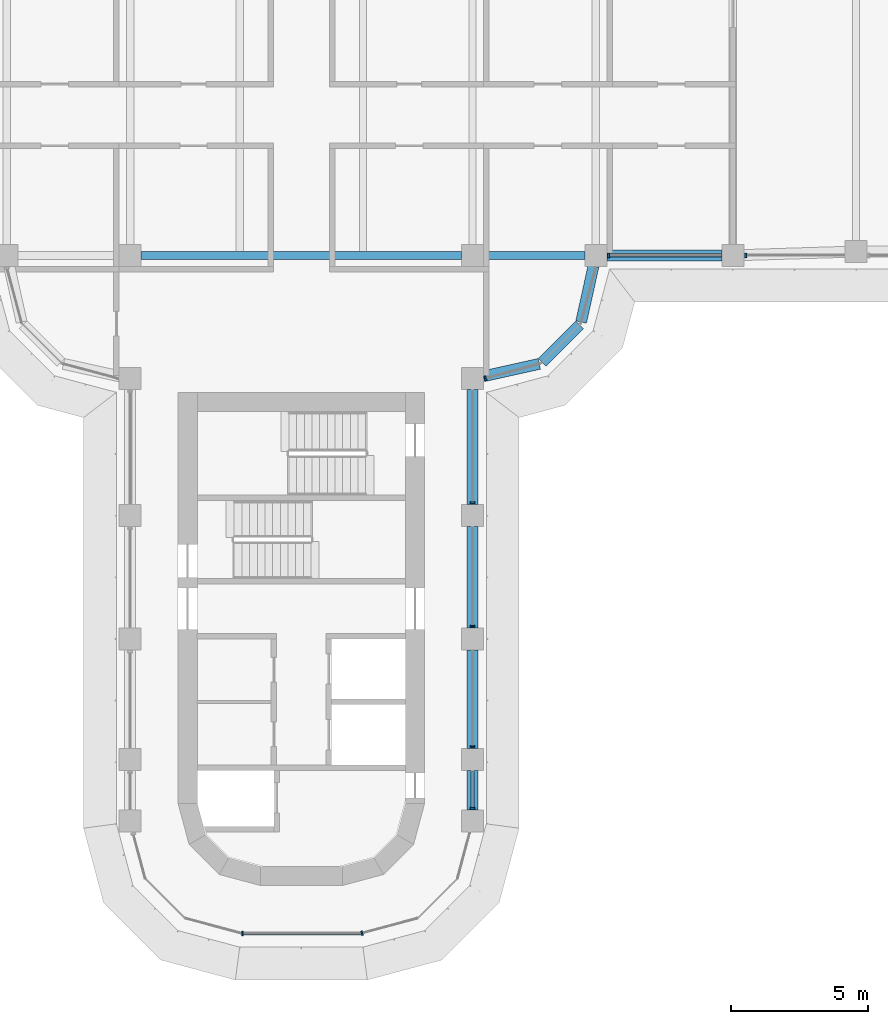
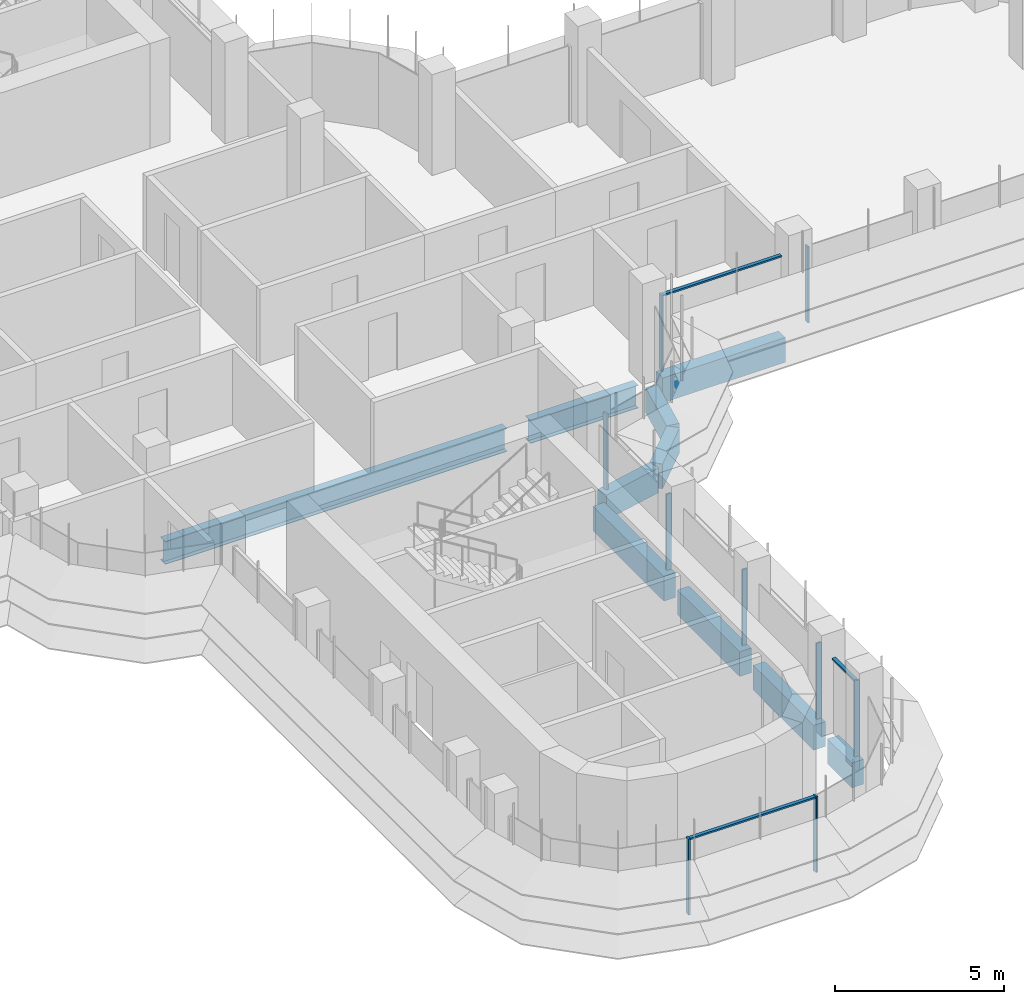
# One storey, part 4 of 19: 12 members, 10 beams, 5 elements without a shape of their own.
"""IFC4 building model written with IfcOpenShell, lengths in metres."""

from ifc_helpers import new_model, si_unit, direction, frame, origin, origin_2d, place, context, subcontext, project, spatial, polyline, rectangle, i_section, outline, extrude, source, transform, mapped, material, material_profile, profile_set, type_object, element, aggregate, save


model = new_model("IFC4")

# Units and contexts
model_context = context("Model", 3, precision=1e-05, world=origin(), true_north=direction((0.0, 1.0)))
body_context = subcontext(model_context, "Body", "Model", "MODEL_VIEW")
ifc_project = project(units=[si_unit("LENGTHUNIT", "METRE"), si_unit("AREAUNIT", "SQUARE_METRE"), si_unit("VOLUMEUNIT", "CUBIC_METRE"), si_unit("PLANEANGLEUNIT", "RADIAN"), si_unit("MASSUNIT", "GRAM", prefix="KILO")], contexts=[model_context])

# Site, building, storey
site_placement = place(None, origin())
site = spatial("IfcSite", under=ifc_project, at=site_placement, CompositionType="ELEMENT")
building_placement = place(site_placement, origin())
building = spatial("IfcBuilding", under=site, at=building_placement, Name="Zarbagh Exchange Tower", CompositionType="ELEMENT")
storey_placement = place(building_placement, frame((0.0, 0.0, 167.60009765625)))
storey = spatial("IfcBuildingStorey", under=building, at=storey_placement, Name="L40", CompositionType="ELEMENT", Elevation=167.60009765625)

# Beams
ifc_material_1 = material(Name="Steel ASTM A992 Gr 50", Category="steel")
ifc_material_profile_1 = material_profile(ifc_material_1, i_section(OverallWidth=0.2919921875, OverallDepth=0.835693359375, WebThickness=0.013916015625, FlangeThickness=0.018798828125, at=origin_2d()), Name="W33X118")
ifc_profile_set_1 = profile_set([ifc_material_profile_1], Name="Steel ASTM A992 Gr 50")
beam_type_1 = type_object("IfcBeamType", Name="Floor girder W33X118", PredefinedType="BEAM", material=ifc_profile_set_1)
beam_1_placement = place(storey_placement, frame((-5.85009765625, -6.25, -0.56787109375), z_axis=(1.0, 0.0, 0.0), x_axis=(0.0, 1.0, 0.0)))
element("IfcBeam", 1, at=beam_1_placement, inside=storey, type_object=beam_type_1, Name="Steel girder", PredefinedType="BEAM", context=body_context, shape_type="SweptSolid", body=[
    extrude(i_section(OverallWidth=0.2919921875, OverallDepth=0.835693359375, WebThickness=0.013916015625, FlangeThickness=0.018798828125, at=origin_2d()), origin(), (0.0, 0.0, 1.0), 11.7001953125),
])
beam_2_placement = place(storey_placement, frame((6.64990234375, -6.25, -0.56787109375), z_axis=(1.0, 0.0, 0.0), x_axis=(0.0, 1.0, 0.0)))
element("IfcBeam", 2, at=beam_2_placement, inside=storey, type_object=beam_type_1, Name="Steel girder", PredefinedType="BEAM", context=body_context, shape_type="SweptSolid", body=[
    extrude(i_section(OverallWidth=0.2919921875, OverallDepth=0.835693359375, WebThickness=0.013916015625, FlangeThickness=0.018798828125, at=origin_2d()), origin(), (0.0, 0.0, 1.0), 3.7001953125),
])
ifc_material_2 = material(Name="Concrete C50/60", Category="concrete")
ifc_material_profile_2 = material_profile(ifc_material_2, rectangle(XDim=0.39990234375, YDim=0.89990234375, at=origin_2d()), Name="RC spandrel beam 400 x 900 C50/60")
ifc_profile_set_2 = profile_set([ifc_material_profile_2], Name="Concrete C50/60")
beam_type_2 = type_object("IfcBeamType", Name="RC spandrel beam 400 x 900 C50/60", PredefinedType="SPANDREL", material=ifc_profile_set_2)
beam_3_placement = place(storey_placement, frame((15.35009765625, -6.25, -0.60009765625), z_axis=(-1.0, 0.0, 0.0), x_axis=(0.0, -1.0, 0.0)))
element("IfcBeam", 3, at=beam_3_placement, inside=storey, type_object=beam_type_2, Name="RC spandrel beam", PredefinedType="SPANDREL", context=body_context, shape_type="SweptSolid", body=[
    extrude(rectangle(XDim=0.39990234375, YDim=0.89990234375, at=origin_2d()), origin(), (0.0, 0.0, 1.0), 4.2001953125),
])
beam_4_placement = place(storey_placement, frame((10.66357421875, -6.640625, -0.60009765625), z_axis=(-0.216041061437, -0.976384278741, 0.0), x_axis=(0.976384278741, -0.216041061437, 0.0)))
element("IfcBeam", 4, at=beam_4_placement, inside=storey, type_object=beam_type_2, Name="RC spandrel beam", PredefinedType="SPANDREL", context=body_context, shape_type="SweptSolid", body=[
    extrude(rectangle(XDim=0.39990234375, YDim=0.89990234375, at=origin_2d()), origin(), (0.0, 0.0, 1.0), 2.0927734375),
])
beam_5_placement = place(storey_placement, frame((10.15771484375, -8.782470703125, -0.60009765625), z_axis=(-0.707106781187, -0.707106781187, 0.0), x_axis=(0.707106781187, -0.707106781187, 0.0)))
element("IfcBeam", 5, at=beam_5_placement, inside=storey, type_object=beam_type_2, Name="RC spandrel beam", PredefinedType="SPANDREL", context=body_context, shape_type="SweptSolid", body=[
    extrude(rectangle(XDim=0.39990234375, YDim=0.89990234375, at=origin_2d()), origin(), (0.0, 0.0, 1.0), 1.94482421875),
])
beam_6_placement = place(storey_placement, frame((8.68408203125, -10.21142578125, -0.60009765625), z_axis=(-0.976384278741, -0.216041061437, 0.0), x_axis=(0.216041061437, -0.976384278741, 0.0)))
element("IfcBeam", 6, at=beam_6_placement, inside=storey, type_object=beam_type_2, Name="RC spandrel beam", PredefinedType="SPANDREL", context=body_context, shape_type="SweptSolid", body=[
    extrude(rectangle(XDim=0.39990234375, YDim=0.89990234375, at=origin_2d()), origin(), (0.0, 0.0, 1.0), 2.0927734375),
])
beam_7_placement = place(storey_placement, frame((6.25, -11.14990234375, -0.60009765625), z_axis=(0.0, -1.0, 0.0), x_axis=(1.0, 0.0, 0.0)))
element("IfcBeam", 7, at=beam_7_placement, inside=storey, type_object=beam_type_2, Name="RC spandrel beam", PredefinedType="SPANDREL", context=body_context, shape_type="SweptSolid", body=[
    extrude(rectangle(XDim=0.39990234375, YDim=0.89990234375, at=origin_2d()), origin(), (0.0, 0.0, 1.0), 4.2001953125),
])
beam_8_placement = place(storey_placement, frame((6.25, -16.14990234375, -0.60009765625), z_axis=(0.0, -1.0, 0.0), x_axis=(1.0, 0.0, 0.0)))
element("IfcBeam", 8, at=beam_8_placement, inside=storey, type_object=beam_type_2, Name="RC spandrel beam", PredefinedType="SPANDREL", context=body_context, shape_type="SweptSolid", body=[
    extrude(rectangle(XDim=0.39990234375, YDim=0.89990234375, at=origin_2d()), origin(), (0.0, 0.0, 1.0), 3.7001953125),
])
beam_9_placement = place(storey_placement, frame((6.25, -20.64990234375, -0.60009765625), z_axis=(0.0, -1.0, 0.0), x_axis=(1.0, 0.0, 0.0)))
element("IfcBeam", 9, at=beam_9_placement, inside=storey, type_object=beam_type_2, Name="RC spandrel beam", PredefinedType="SPANDREL", context=body_context, shape_type="SweptSolid", body=[
    extrude(rectangle(XDim=0.39990234375, YDim=0.89990234375, at=origin_2d()), origin(), (0.0, 0.0, 1.0), 3.60009765625),
])
beam_10_placement = place(storey_placement, frame((6.25, -25.050048828125, -0.60009765625), z_axis=(0.0, -1.0, 0.0), x_axis=(1.0, 0.0, 0.0)))
element("IfcBeam", 10, at=beam_10_placement, inside=storey, type_object=beam_type_2, Name="RC spandrel beam", PredefinedType="SPANDREL", context=body_context, shape_type="SweptSolid", body=[
    extrude(rectangle(XDim=0.39990234375, YDim=0.89990234375, at=origin_2d()), origin(), (0.0, 0.0, 1.0), 1.449951171875),
])

# Curtain wall, member
ifc_material_3 = material(Name="Anodised aluminium frame and glazing", Category="aluminium")
curtain_wall_type = type_object("IfcCurtainWallType", Name="CWB Ribbon glazing, upper zones", PredefinedType="NOTDEFINED", material=ifc_material_3)
curtain_wall_1_placement = place(storey_placement, origin())
curtain_wall_1 = element("IfcCurtainWall", 11, at=curtain_wall_1_placement, inside=storey, type_object=curtain_wall_type, Name="CWB49 curtain wall", PredefinedType="NOTDEFINED")
ifc_material_4 = material(Name="Anodised aluminium frame", Category="aluminium")
member_type_1 = type_object("IfcMemberType", Name="MUB Mullion, anodised aluminium frame", PredefinedType="MULLION", material=ifc_material_4)
shared_shape_1 = source(origin(), body_context, "Body", "SweptSolid", [
    extrude(outline(polyline([(0.0, -0.080078125), (0.06005859375, -0.080078125), (0.06005859375, 0.080078125), (0.0, 0.080078125), (0.0, -0.080078125)])), origin(), (0.0, 0.0, 1.0), 2.75),
])
placement = place(storey_placement, origin())
member_1 = element("IfcMember", 12, at=placement, type_object=member_type_1, Name="CWB49 mullion 1.1", PredefinedType="MULLION", context=body_context, shape_type="MappedRepresentation", body=[
    mapped(shared_shape_1, transform((2.18408203125, -31.0, 0.0), x_axis=(0.965924289636, 0.258824779902, 0.0), y_axis=(-0.258824779902, 0.965924289636, 0.0), z_axis=(0.0, 0.0, 1.0))),
])
aggregate(curtain_wall_1, [member_1])

# Curtain wall, members
curtain_wall_2_placement = place(storey_placement, origin())
curtain_wall_2 = element("IfcCurtainWall", 13, at=curtain_wall_2_placement, inside=storey, type_object=curtain_wall_type, Name="CWB52 curtain wall", PredefinedType="NOTDEFINED")
member_2 = element("IfcMember", 14, at=placement, type_object=member_type_1, Name="CWB52 mullion 1.1", PredefinedType="MULLION", context=body_context, shape_type="MappedRepresentation", body=[
    mapped(shared_shape_1, transform((6.25, -26.4599609375, 0.0), x_axis=(0.0, 1.0, 0.0), y_axis=(-1.0, 0.0, 0.0), z_axis=(0.0, 0.0, 1.0))),
])
member_3 = element("IfcMember", 15, at=placement, type_object=member_type_1, Name="CWB52 mullion 2.1", PredefinedType="MULLION", context=body_context, shape_type="MappedRepresentation", body=[
    mapped(shared_shape_1, transform((6.25, -24.2099609375, 0.0), x_axis=(0.0, 1.0, 0.0), y_axis=(-1.0, 0.0, 0.0), z_axis=(0.0, 0.0, 1.0))),
])
member_4 = element("IfcMember", 16, at=placement, type_object=member_type_1, Name="CWB52 mullion 3.1", PredefinedType="MULLION", context=body_context, shape_type="MappedRepresentation", body=[
    mapped(shared_shape_1, transform((6.25, -19.81005859375, 0.0), x_axis=(0.0, 1.0, 0.0), y_axis=(-1.0, 0.0, 0.0), z_axis=(0.0, 0.0, 1.0))),
])
member_5 = element("IfcMember", 17, at=placement, type_object=member_type_1, Name="CWB52 mullion 4.1", PredefinedType="MULLION", context=body_context, shape_type="MappedRepresentation", body=[
    mapped(shared_shape_1, transform((6.25, -15.31005859375, 0.0), x_axis=(0.0, 1.0, 0.0), y_axis=(-1.0, 0.0, 0.0), z_axis=(0.0, 0.0, 1.0))),
])

# Curtain wall, member
curtain_wall_3_placement = place(storey_placement, origin())
curtain_wall_3 = element("IfcCurtainWall", 18, at=curtain_wall_3_placement, inside=storey, type_object=curtain_wall_type, Name="CWB05 curtain wall", PredefinedType="NOTDEFINED")
member_6 = element("IfcMember", 19, at=placement, type_object=member_type_1, Name="CWB05 mullion 1.1", PredefinedType="MULLION", context=body_context, shape_type="MappedRepresentation", body=[
    mapped(shared_shape_1, transform((6.68994140625, -10.74853515625, 0.0), x_axis=(0.965924289636, 0.258824779902, 0.0), y_axis=(-0.258824779902, 0.965924289636, 0.0), z_axis=(0.0, 0.0, 1.0))),
])
aggregate(curtain_wall_3, [member_6])

# Curtain wall, members
curtain_wall_4_placement = place(storey_placement, origin())
curtain_wall_4 = element("IfcCurtainWall", 20, at=curtain_wall_4_placement, inside=storey, type_object=curtain_wall_type, Name="CWB08 curtain wall", PredefinedType="NOTDEFINED")
member_7 = element("IfcMember", 21, at=placement, type_object=member_type_1, Name="CWB08 mullion 1.1", PredefinedType="MULLION", context=body_context, shape_type="MappedRepresentation", body=[
    mapped(shared_shape_1, transform((11.18994140625, -6.25, 0.0), x_axis=(1.0, 0.0, 0.0), y_axis=(0.0, 1.0, 0.0), z_axis=(0.0, 0.0, 1.0))),
])
member_8 = element("IfcMember", 22, at=placement, type_object=member_type_1, Name="CWB08 mullion 2.1", PredefinedType="MULLION", context=body_context, shape_type="MappedRepresentation", body=[
    mapped(shared_shape_1, transform((16.18994140625, -6.25, 0.0), x_axis=(1.0, 0.0, 0.0), y_axis=(0.0, 1.0, 0.0), z_axis=(0.0, 0.0, 1.0))),
])

curtain_wall_5_placement = place(storey_placement, origin())
curtain_wall_5 = element("IfcCurtainWall", 23, at=curtain_wall_5_placement, inside=storey, type_object=curtain_wall_type, Name="CWB57 curtain wall", PredefinedType="NOTDEFINED")
member_9 = element("IfcMember", 24, at=placement, type_object=member_type_1, Name="CWB57 mullion 1.1", PredefinedType="MULLION", context=body_context, shape_type="MappedRepresentation", body=[
    mapped(shared_shape_1, transform((-2.18408203125, -31.0, 0.0), x_axis=(1.0, 0.0, 0.0), y_axis=(0.0, 1.0, 0.0), z_axis=(0.0, 0.0, 1.0))),
])
member_type_2 = type_object("IfcMemberType", Name="TRB Transom, anodised aluminium frame", PredefinedType="USERDEFINED", material=ifc_material_4)
shared_shape_2 = source(origin(), body_context, "Body", "SweptSolid", [
    extrude(outline(polyline([(-0.06005859375, -0.06005859375), (0.0, -0.06005859375), (0.0, 0.06005859375), (-0.06005859375, 0.06005859375), (-0.06005859375, -0.06005859375)])), origin(), (0.0, 0.0, 1.0), 4.308349609375),
])
member_10 = element("IfcMember", 25, at=placement, type_object=member_type_2, Name="CWB57 transom 1.1", ObjectType="TRANSOM", PredefinedType="USERDEFINED", context=body_context, shape_type="MappedRepresentation", body=[
    mapped(shared_shape_2, transform((-2.124267578125, -31.0, 2.75), x_axis=(0.0, 0.0, 1.0), y_axis=(0.0, -1.0, 0.0), z_axis=(1.0, 0.0, 0.0))),
])
aggregate(curtain_wall_5, [member_9, member_10])

# Member
shared_shape_3 = source(origin(), body_context, "Body", "SweptSolid", [
    extrude(outline(polyline([(-0.06005859375, -0.06005859375), (0.0, -0.06005859375), (0.0, 0.06005859375), (-0.06005859375, 0.06005859375), (-0.06005859375, -0.06005859375)])), origin(), (0.0, 0.0, 1.0), 4.06005859375),
])
member_11 = element("IfcMember", 26, at=placement, type_object=member_type_2, Name="CWB08 transom 1.1", ObjectType="TRANSOM", PredefinedType="USERDEFINED", context=body_context, shape_type="MappedRepresentation", body=[
    mapped(shared_shape_3, transform((11.25, -6.25, 2.75), x_axis=(0.0, 0.0, 1.0), y_axis=(0.0, -1.0, 0.0), z_axis=(1.0, 0.0, 0.0))),
])

aggregate(curtain_wall_4, [member_7, member_11, member_8])

shared_shape_4 = source(origin(), body_context, "Body", "SweptSolid", [
    extrude(outline(polyline([(-0.06005859375, -0.06005859375), (0.0, -0.06005859375), (0.0, 0.06005859375), (-0.06005859375, 0.06005859375), (-0.06005859375, -0.06005859375)])), origin(), (0.0, 0.0, 1.0), 1.31005859375),
])
member_12 = element("IfcMember", 27, at=placement, type_object=member_type_2, Name="CWB52 transom 1.1", ObjectType="TRANSOM", PredefinedType="USERDEFINED", context=body_context, shape_type="MappedRepresentation", body=[
    mapped(shared_shape_4, transform((6.25, -26.39990234375, 2.75), x_axis=(0.0, 0.0, 1.0), y_axis=(1.0, 0.0, 0.0), z_axis=(0.0, 1.0, 0.0))),
])

aggregate(curtain_wall_2, [member_2, member_12, member_3, member_4, member_5])

save(model, "model.ifc")
